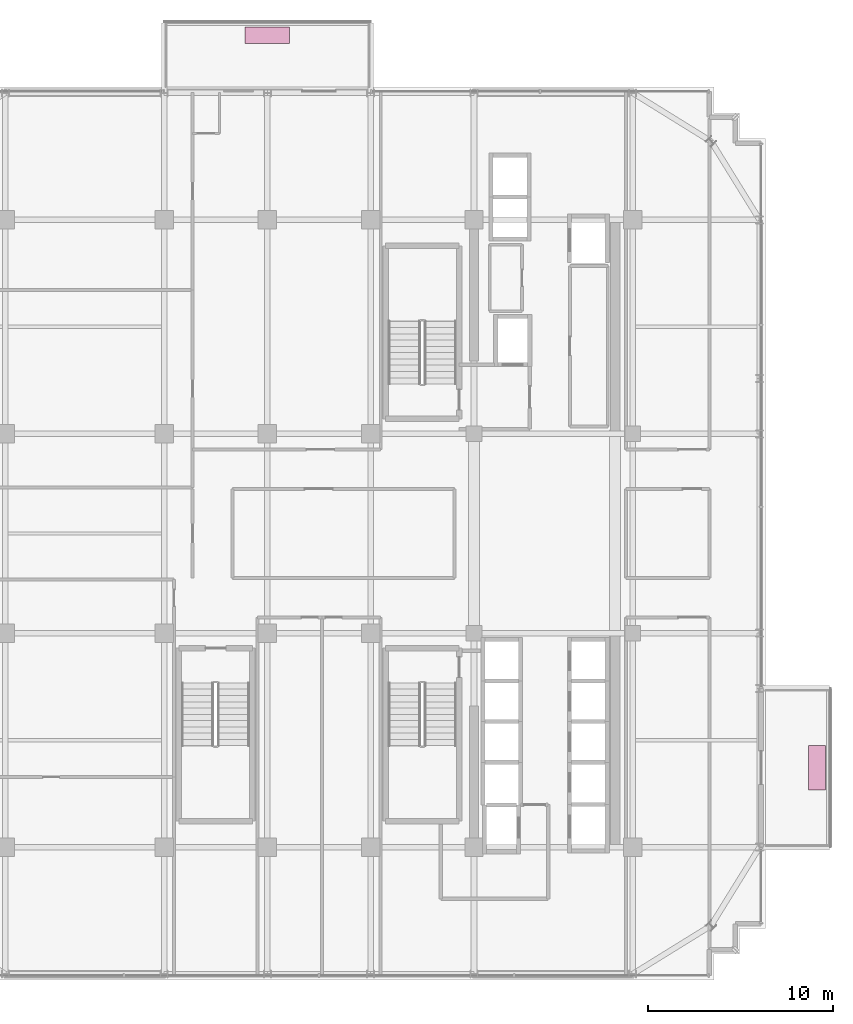
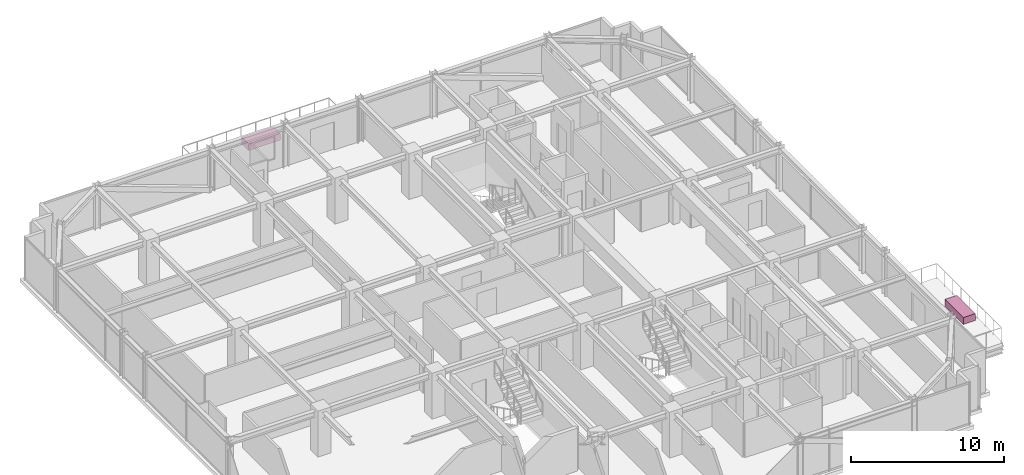
# One storey, part 42 of 42: 2 furnishings.
"""IFC4 building model written with IfcOpenShell, lengths in metres."""

from ifc_helpers import new_model, si_unit, direction, frame, origin, origin_2d, place, context, subcontext, project, spatial, rectangle, extrude, source, transform, mapped, material, type_object, element, save


model = new_model("IFC4")

# Units and contexts
model_context = context("Model", 3, precision=1e-05, world=origin(), true_north=direction((0.0, 1.0)))
body_context = subcontext(model_context, "Body", "Model", "MODEL_VIEW")
ifc_project = project(units=[si_unit("LENGTHUNIT", "METRE"), si_unit("AREAUNIT", "SQUARE_METRE"), si_unit("VOLUMEUNIT", "CUBIC_METRE"), si_unit("PLANEANGLEUNIT", "RADIAN"), si_unit("MASSUNIT", "GRAM", prefix="KILO")], contexts=[model_context])

# Site, building, storey
site_placement = place(None, origin())
site = spatial("IfcSite", under=ifc_project, at=site_placement, CompositionType="ELEMENT")
building_placement = place(site_placement, origin())
building = spatial("IfcBuilding", under=site, at=building_placement, Name="Nahalor Promenade Grand Hotel", CompositionType="ELEMENT")
storey_placement = place(building_placement, frame((0.0, 0.0, 249.300048828125)))
storey = spatial("IfcBuildingStorey", under=building, at=storey_placement, Name="L64", CompositionType="ELEMENT", Elevation=249.300048828125)

# Furnishings
ifc_material = material(Name="Vegetated Volcanic-Lapilli Tree Planter", Category="earth")
furnishing_element_type = type_object("IfcFurnishingElementType", Name="Planter-VerticalForest-Box", material=ifc_material)
shared_shape = source(origin(), body_context, "Body", "SweptSolid", [
    extrude(rectangle(XDim=2.39990234375, YDim=0.89990234375, at=origin_2d()), origin(), (0.0, 0.0, 1.0), 0.550048828125),
])
for number, where, z_axis, x_axis, name in (
    (1, (-2.800048828125, 27.010009765625, 0.0), (0.0, 0.0, 1.0), (1.0, 0.0, 0.0), "L64 Balcony Structural Tree Planter 1"),
    (2, (26.989990234375, -12.699951171875, 0.0), (0.0, 0.0, 1.0), (0.0, 1.0, 0.0), "L64 Balcony Structural Tree Planter 2"),
):
    element("IfcFurnishingElement", number, at=place(storey_placement, frame(where, z_axis=z_axis, x_axis=x_axis)), inside=storey, type_object=furnishing_element_type, Name=name, ObjectType="PLANTER", context=body_context, shape_type="MappedRepresentation", body=[
        mapped(shared_shape, transform((0.0, 0.0, 0.0), scale=1.0)),
    ])

save(model, "model.ifc")
